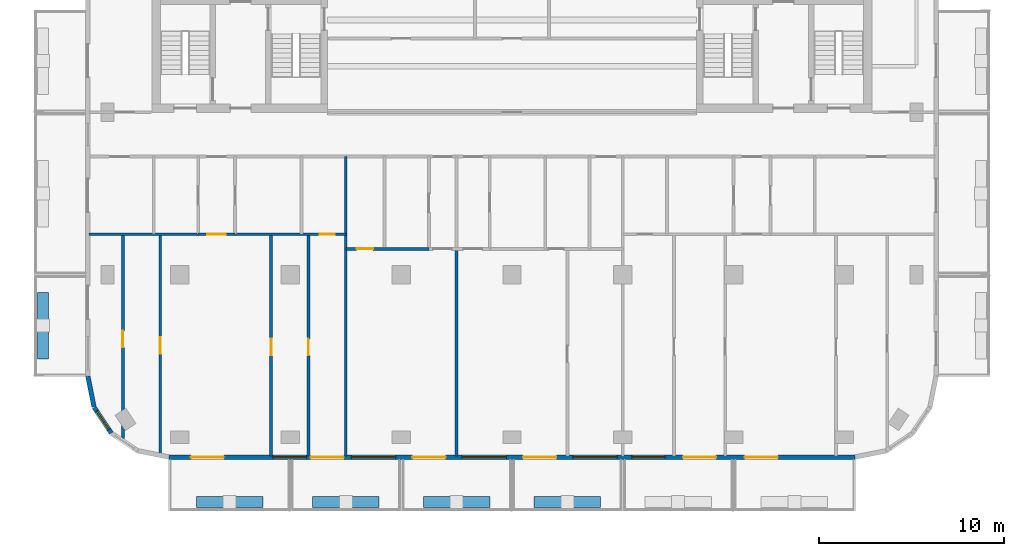
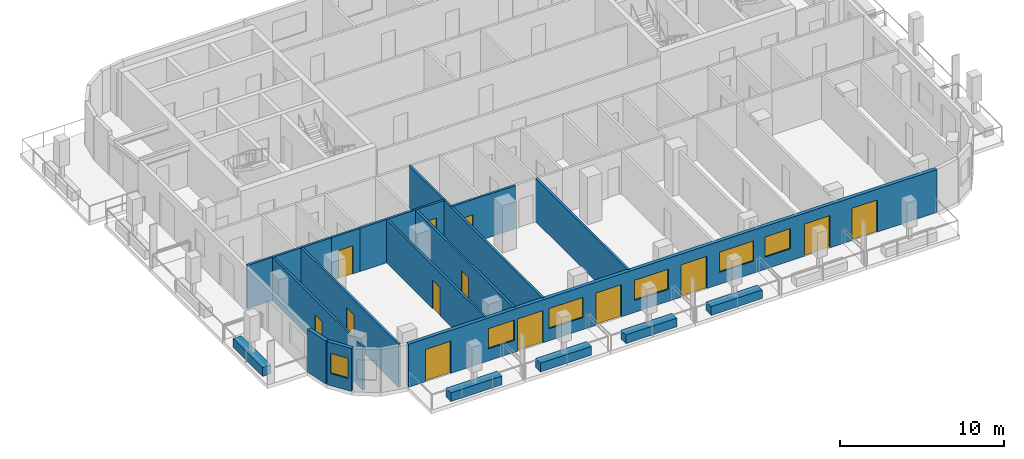
# One storey, part 2 of 11: 18 walls, 13 doors, 6 windows, 19 openings.
"""IFC4 building model written with IfcOpenShell, lengths in metres."""

from ifc_helpers import new_model, si_unit, direction, frame, frame_2d, origin, place, context, subcontext, project, spatial, rectangle, extrude, material, layer, layer_set, type_object, element, fill, save


model = new_model("IFC4")

# Units and contexts
model_context = context("Model", 3, precision=1e-05, world=origin(), true_north=direction((0.0, 1.0)))
body_context = subcontext(model_context, "Body", "Model", "MODEL_VIEW")
ifc_project = project(units=[si_unit("LENGTHUNIT", "METRE"), si_unit("AREAUNIT", "SQUARE_METRE"), si_unit("VOLUMEUNIT", "CUBIC_METRE"), si_unit("PLANEANGLEUNIT", "RADIAN"), si_unit("MASSUNIT", "GRAM", prefix="KILO")], contexts=[model_context])

# Site, building, storey
site_placement = place(None, origin())
site = spatial("IfcSite", under=ifc_project, at=site_placement, CompositionType="ELEMENT")
building_placement = place(site_placement, origin())
building = spatial("IfcBuilding", under=site, at=building_placement, Name="Torana Hotel and Residences", CompositionType="ELEMENT")
storey_placement = place(building_placement, frame((0.0, 0.0, 305.10009765625)))
storey = spatial("IfcBuildingStorey", under=building, at=storey_placement, Name="L81", CompositionType="ELEMENT", Elevation=305.10009765625)

# Wall
ifc_material_1 = material(Name="Black aluminium composite panel", Category="aluminium")
ifc_layer_1 = layer(ifc_material_1, 0.00390625, Name="Cladding", Category="cladding")
ifc_material_2 = material(Name="Ventilated air cavity")
ifc_layer_2 = layer(ifc_material_2, 0.0400390625, Name="Ventilated cavity", Category="cavity")
ifc_material_3 = material(Name="Mineral wool insulation")
ifc_layer_3 = layer(ifc_material_3, 0.090087890625, Name="Insulation", Category="insulation")
ifc_material_4 = material(Name="Steel S280GD", Category="steel")
ifc_layer_4 = layer(ifc_material_4, 0.092041015625, Name="Steel stud frame", Category="structure")
ifc_material_5 = material(Name="Fire rated plasterboard")
ifc_layer_5 = layer(ifc_material_5, 0.011962890625, Name="Inner board", Category="finish")
ifc_layer_6 = layer(ifc_material_5, 0.011962890625, Name="Second board", Category="finish")
ifc_layer_set_1 = layer_set([ifc_layer_1, ifc_layer_2, ifc_layer_3, ifc_layer_4, ifc_layer_5, ifc_layer_6], Name="EW1 EXTERNAL WALL BLACK METAL CLAD 250")
wall_type_1 = type_object("IfcWallType", Name="EW1 EXTERNAL WALL BLACK METAL CLAD 250", PredefinedType="SOLIDWALL", material=ifc_layer_set_1)
wall_1_placement = place(storey_placement, frame((-22.97265625, -29.2998046875, 0.0), z_axis=(0.0, 0.0, 1.0), x_axis=(0.19513878023, -0.980775640221, 0.0)))
element("IfcWall", 1, at=wall_1_placement, inside=storey, type_object=wall_type_1, Name="External wall L81 e0.10", PredefinedType="SOLIDWALL", context=body_context, shape_type="SweptSolid", body=[
    extrude(rectangle(XDim=1.681396484375, YDim=0.25, at=frame_2d((0.8408203125, 0.0))), origin(), (0.0, 0.0, 1.0), 3.199951171875),
])

# Wall, opening, window
wall_2_placement = place(storey_placement, frame((-22.6259765625, -30.993896484375, 0.0), z_axis=(0.0, 0.0, 1.0), x_axis=(0.55555029066, -0.831482937015, 0.0)))
wall_2 = element("IfcWall", 2, at=wall_2_placement, inside=storey, type_object=wall_type_1, Name="External wall L81 e0.11", PredefinedType="SOLIDWALL", context=body_context, shape_type="SweptSolid", body=[
    extrude(rectangle(XDim=1.65625, YDim=0.25, at=frame_2d((0.828125, 0.0))), origin(), (0.0, 0.0, 1.0), 3.199951171875),
])
opening_1_placement = place(wall_2_placement, frame((0.228271484375, 0.0, 0.89990234375)))
opening_1 = element("IfcOpeningElement", 3, at=opening_1_placement, cuts=wall_2, Name="Opening W5", PredefinedType="OPENING", context=body_context, shape_type="SweptSolid", body=[
    extrude(rectangle(XDim=1.199951171875, YDim=1.5, at=frame_2d((0.60009765625, 0.75))), frame((0.0, 0.135009765625, 0.0), z_axis=(0.0, -1.0, 0.0), x_axis=(1.0, 0.0, 0.0)), (0.0, 0.0, 1.0), 0.27001953125),
])
ifc_material_6 = material(Name="Dark glass in black aluminium frame", Category="aluminium")
window_type_1 = type_object("IfcWindowType", Name="W5 CORNER FACET WINDOW 1200x1500", PartitioningType="SINGLE_PANEL", PredefinedType="WINDOW", material=ifc_material_6)
window_1_placement = place(opening_1_placement, origin())
window_1 = element("IfcWindow", 4, at=window_1_placement, inside=storey, type_object=window_type_1, Name="Window L81 e0.11", OverallHeight=1.5, OverallWidth=1.199951171875, PartitioningType="SINGLE_PANEL", PredefinedType="WINDOW", context=body_context, shape_type="SweptSolid", body=[
    extrude(rectangle(XDim=1.199951171875, YDim=1.5, at=frame_2d((0.60009765625, 0.75))), frame((0.0, 0.030029296875, 0.0), z_axis=(0.0, -1.0, 0.0), x_axis=(1.0, 0.0, 0.0)), (0.0, 0.0, 1.0), 0.06005859375),
])
fill(opening_1, window_1)

# Wall, openings, doors, windows
wall_3_placement = place(storey_placement, frame((-18.575439453125, -33.675048828125, 0.0), z_axis=(0.0, 0.0, 1.0), x_axis=(1.0, 0.0, 0.0)))
wall_3 = element("IfcWall", 5, at=wall_3_placement, inside=storey, type_object=wall_type_1, Name="External wall L81 e0.14", PredefinedType="SOLIDWALL", context=body_context, shape_type="SweptSolid", body=[
    extrude(rectangle(XDim=37.15087890625, YDim=0.25, at=frame_2d((18.575439453125, 0.0))), origin(), (0.0, 0.0, 1.0), 3.199951171875),
])
opening_2_placement = place(wall_3_placement, frame((1.17529296875, 0.0, 0.0)))
opening_2 = element("IfcOpeningElement", 6, at=opening_2_placement, cuts=wall_3, Name="Opening L81-E01", PredefinedType="OPENING", context=body_context, shape_type="SweptSolid", body=[
    extrude(rectangle(XDim=1.800048828125, YDim=2.39990234375, at=frame_2d((0.89990234375, 1.199951171875))), frame((0.0, 0.135009765625, 0.0), z_axis=(0.0, -1.0, 0.0), x_axis=(1.0, 0.0, 0.0)), (0.0, 0.0, 1.0), 0.27001953125),
])
opening_3_placement = place(wall_3_placement, frame((5.637451171875, 0.0, 0.89990234375)))
opening_3 = element("IfcOpeningElement", 7, at=opening_3_placement, cuts=wall_3, Name="Opening W4", PredefinedType="OPENING", context=body_context, shape_type="SweptSolid", body=[
    extrude(rectangle(XDim=1.800048828125, YDim=1.5, at=frame_2d((0.89990234375, 0.75))), frame((0.0, 0.135009765625, 0.0), z_axis=(0.0, -1.0, 0.0), x_axis=(1.0, 0.0, 0.0)), (0.0, 0.0, 1.0), 0.27001953125),
])
opening_4_placement = place(wall_3_placement, frame((7.663330078125, 0.0, 0.0)))
opening_4 = element("IfcOpeningElement", 8, at=opening_4_placement, cuts=wall_3, Name="Opening L81-E02", PredefinedType="OPENING", context=body_context, shape_type="SweptSolid", body=[
    extrude(rectangle(XDim=1.800048828125, YDim=2.39990234375, at=frame_2d((0.89990234375, 1.199951171875))), frame((0.0, 0.135009765625, 0.0), z_axis=(0.0, -1.0, 0.0), x_axis=(1.0, 0.0, 0.0)), (0.0, 0.0, 1.0), 0.27001953125),
])
opening_5_placement = place(wall_3_placement, frame((9.87548828125, 0.0, 0.89990234375)))
opening_5 = element("IfcOpeningElement", 9, at=opening_5_placement, cuts=wall_3, Name="Opening W3", PredefinedType="OPENING", context=body_context, shape_type="SweptSolid", body=[
    extrude(rectangle(XDim=2.39990234375, YDim=1.5, at=frame_2d((1.199951171875, 0.75))), frame((0.0, 0.135009765625, 0.0), z_axis=(0.0, -1.0, 0.0), x_axis=(1.0, 0.0, 0.0)), (0.0, 0.0, 1.0), 0.27001953125),
])
opening_6_placement = place(wall_3_placement, frame((13.17529296875, 0.0, 0.0)))
opening_6 = element("IfcOpeningElement", 10, at=opening_6_placement, cuts=wall_3, Name="Opening L81-E03", PredefinedType="OPENING", context=body_context, shape_type="SweptSolid", body=[
    extrude(rectangle(XDim=1.800048828125, YDim=2.39990234375, at=frame_2d((0.89990234375, 1.199951171875))), frame((0.0, 0.135009765625, 0.0), z_axis=(0.0, -1.0, 0.0), x_axis=(1.0, 0.0, 0.0)), (0.0, 0.0, 1.0), 0.27001953125),
])
opening_7_placement = place(wall_3_placement, frame((15.87548828125, 0.0, 0.89990234375)))
opening_7 = element("IfcOpeningElement", 11, at=opening_7_placement, cuts=wall_3, Name="Opening W3", PredefinedType="OPENING", context=body_context, shape_type="SweptSolid", body=[
    extrude(rectangle(XDim=2.39990234375, YDim=1.5, at=frame_2d((1.199951171875, 0.75))), frame((0.0, 0.135009765625, 0.0), z_axis=(0.0, -1.0, 0.0), x_axis=(1.0, 0.0, 0.0)), (0.0, 0.0, 1.0), 0.27001953125),
])
opening_8_placement = place(wall_3_placement, frame((19.17529296875, 0.0, 0.0)))
opening_8 = element("IfcOpeningElement", 12, at=opening_8_placement, cuts=wall_3, Name="Opening L81-E04", PredefinedType="OPENING", context=body_context, shape_type="SweptSolid", body=[
    extrude(rectangle(XDim=1.800048828125, YDim=2.39990234375, at=frame_2d((0.89990234375, 1.199951171875))), frame((0.0, 0.135009765625, 0.0), z_axis=(0.0, -1.0, 0.0), x_axis=(1.0, 0.0, 0.0)), (0.0, 0.0, 1.0), 0.27001953125),
])
opening_9_placement = place(wall_3_placement, frame((21.87548828125, 0.0, 0.89990234375)))
opening_9 = element("IfcOpeningElement", 13, at=opening_9_placement, cuts=wall_3, Name="Opening W3", PredefinedType="OPENING", context=body_context, shape_type="SweptSolid", body=[
    extrude(rectangle(XDim=2.39990234375, YDim=1.5, at=frame_2d((1.199951171875, 0.75))), frame((0.0, 0.135009765625, 0.0), z_axis=(0.0, -1.0, 0.0), x_axis=(1.0, 0.0, 0.0)), (0.0, 0.0, 1.0), 0.27001953125),
])
opening_10_placement = place(wall_3_placement, frame((25.0634765625, 0.0, 0.89990234375)))
opening_10 = element("IfcOpeningElement", 14, at=opening_10_placement, cuts=wall_3, Name="Opening W4", PredefinedType="OPENING", context=body_context, shape_type="SweptSolid", body=[
    extrude(rectangle(XDim=1.800048828125, YDim=1.5, at=frame_2d((0.89990234375, 0.75))), frame((0.0, 0.135009765625, 0.0), z_axis=(0.0, -1.0, 0.0), x_axis=(1.0, 0.0, 0.0)), (0.0, 0.0, 1.0), 0.27001953125),
])
opening_11_placement = place(wall_3_placement, frame((27.83837890625, 0.0, 0.0)))
opening_11 = element("IfcOpeningElement", 15, at=opening_11_placement, cuts=wall_3, Name="Opening L81-E05", PredefinedType="OPENING", context=body_context, shape_type="SweptSolid", body=[
    extrude(rectangle(XDim=1.800048828125, YDim=2.39990234375, at=frame_2d((0.89990234375, 1.199951171875))), frame((0.0, 0.135009765625, 0.0), z_axis=(0.0, -1.0, 0.0), x_axis=(1.0, 0.0, 0.0)), (0.0, 0.0, 1.0), 0.27001953125),
])
opening_12_placement = place(wall_3_placement, frame((31.17529296875, 0.0, 0.0)))
opening_12 = element("IfcOpeningElement", 16, at=opening_12_placement, cuts=wall_3, Name="Opening L81-E06", PredefinedType="OPENING", context=body_context, shape_type="SweptSolid", body=[
    extrude(rectangle(XDim=1.800048828125, YDim=2.39990234375, at=frame_2d((0.89990234375, 1.199951171875))), frame((0.0, 0.135009765625, 0.0), z_axis=(0.0, -1.0, 0.0), x_axis=(1.0, 0.0, 0.0)), (0.0, 0.0, 1.0), 0.27001953125),
])
ifc_material_7 = material(Name="Dark glass in black aluminium frame", Category="aluminium")
door_type_1 = type_object("IfcDoorType", Name="DB1 BALCONY DOOR 1800x2400", OperationType="DOUBLE_DOOR_SINGLE_SWING", PredefinedType="DOOR", material=ifc_material_7)
door_1_placement = place(opening_2_placement, origin())
door_1 = element("IfcDoor", 17, at=door_1_placement, inside=storey, type_object=door_type_1, Name="Balcony door L81", OperationType="DOUBLE_DOOR_SINGLE_SWING", OverallHeight=2.39990234375, OverallWidth=1.800048828125, PredefinedType="DOOR", context=body_context, shape_type="SweptSolid", body=[
    extrude(rectangle(XDim=1.800048828125, YDim=2.39990234375, at=frame_2d((0.89990234375, 1.199951171875))), frame((0.0, 0.02490234375, 0.0), z_axis=(0.0, -1.0, 0.0), x_axis=(1.0, 0.0, 0.0)), (0.0, 0.0, 1.0), 0.050048828125),
])
fill(opening_2, door_1)
door_2_placement = place(opening_4_placement, origin())
door_2 = element("IfcDoor", 18, at=door_2_placement, inside=storey, type_object=door_type_1, Name="Balcony door L81", OperationType="DOUBLE_DOOR_SINGLE_SWING", OverallHeight=2.39990234375, OverallWidth=1.800048828125, PredefinedType="DOOR", context=body_context, shape_type="SweptSolid", body=[
    extrude(rectangle(XDim=1.800048828125, YDim=2.39990234375, at=frame_2d((0.89990234375, 1.199951171875))), frame((0.0, 0.02490234375, 0.0), z_axis=(0.0, -1.0, 0.0), x_axis=(1.0, 0.0, 0.0)), (0.0, 0.0, 1.0), 0.050048828125),
])
fill(opening_4, door_2)
door_3_placement = place(opening_6_placement, origin())
door_3 = element("IfcDoor", 19, at=door_3_placement, inside=storey, type_object=door_type_1, Name="Balcony door L81", OperationType="DOUBLE_DOOR_SINGLE_SWING", OverallHeight=2.39990234375, OverallWidth=1.800048828125, PredefinedType="DOOR", context=body_context, shape_type="SweptSolid", body=[
    extrude(rectangle(XDim=1.800048828125, YDim=2.39990234375, at=frame_2d((0.89990234375, 1.199951171875))), frame((0.0, 0.02490234375, 0.0), z_axis=(0.0, -1.0, 0.0), x_axis=(1.0, 0.0, 0.0)), (0.0, 0.0, 1.0), 0.050048828125),
])
fill(opening_6, door_3)
door_4_placement = place(opening_8_placement, origin())
door_4 = element("IfcDoor", 20, at=door_4_placement, inside=storey, type_object=door_type_1, Name="Balcony door L81", OperationType="DOUBLE_DOOR_SINGLE_SWING", OverallHeight=2.39990234375, OverallWidth=1.800048828125, PredefinedType="DOOR", context=body_context, shape_type="SweptSolid", body=[
    extrude(rectangle(XDim=1.800048828125, YDim=2.39990234375, at=frame_2d((0.89990234375, 1.199951171875))), frame((0.0, 0.02490234375, 0.0), z_axis=(0.0, -1.0, 0.0), x_axis=(1.0, 0.0, 0.0)), (0.0, 0.0, 1.0), 0.050048828125),
])
fill(opening_8, door_4)
door_5_placement = place(opening_11_placement, origin())
door_5 = element("IfcDoor", 21, at=door_5_placement, inside=storey, type_object=door_type_1, Name="Balcony door L81", OperationType="DOUBLE_DOOR_SINGLE_SWING", OverallHeight=2.39990234375, OverallWidth=1.800048828125, PredefinedType="DOOR", context=body_context, shape_type="SweptSolid", body=[
    extrude(rectangle(XDim=1.800048828125, YDim=2.39990234375, at=frame_2d((0.89990234375, 1.199951171875))), frame((0.0, 0.02490234375, 0.0), z_axis=(0.0, -1.0, 0.0), x_axis=(1.0, 0.0, 0.0)), (0.0, 0.0, 1.0), 0.050048828125),
])
fill(opening_11, door_5)
door_6_placement = place(opening_12_placement, origin())
door_6 = element("IfcDoor", 22, at=door_6_placement, inside=storey, type_object=door_type_1, Name="Balcony door L81", OperationType="DOUBLE_DOOR_SINGLE_SWING", OverallHeight=2.39990234375, OverallWidth=1.800048828125, PredefinedType="DOOR", context=body_context, shape_type="SweptSolid", body=[
    extrude(rectangle(XDim=1.800048828125, YDim=2.39990234375, at=frame_2d((0.89990234375, 1.199951171875))), frame((0.0, 0.02490234375, 0.0), z_axis=(0.0, -1.0, 0.0), x_axis=(1.0, 0.0, 0.0)), (0.0, 0.0, 1.0), 0.050048828125),
])
fill(opening_12, door_6)
ifc_material_8 = material(Name="Dark glass in black aluminium frame", Category="aluminium")
window_type_2 = type_object("IfcWindowType", Name="W3 RESIDENCE WINDOW 2400x1500", PartitioningType="SINGLE_PANEL", PredefinedType="WINDOW", material=ifc_material_8)
window_2_placement = place(opening_5_placement, origin())
window_2 = element("IfcWindow", 23, at=window_2_placement, inside=storey, type_object=window_type_2, Name="Window L81", OverallHeight=1.5, OverallWidth=2.39990234375, PartitioningType="SINGLE_PANEL", PredefinedType="WINDOW", context=body_context, shape_type="SweptSolid", body=[
    extrude(rectangle(XDim=2.39990234375, YDim=1.5, at=frame_2d((1.199951171875, 0.75))), frame((0.0, 0.030029296875, 0.0), z_axis=(0.0, -1.0, 0.0), x_axis=(1.0, 0.0, 0.0)), (0.0, 0.0, 1.0), 0.06005859375),
])
fill(opening_5, window_2)
window_3_placement = place(opening_7_placement, origin())
window_3 = element("IfcWindow", 24, at=window_3_placement, inside=storey, type_object=window_type_2, Name="Window L81", OverallHeight=1.5, OverallWidth=2.39990234375, PartitioningType="SINGLE_PANEL", PredefinedType="WINDOW", context=body_context, shape_type="SweptSolid", body=[
    extrude(rectangle(XDim=2.39990234375, YDim=1.5, at=frame_2d((1.199951171875, 0.75))), frame((0.0, 0.030029296875, 0.0), z_axis=(0.0, -1.0, 0.0), x_axis=(1.0, 0.0, 0.0)), (0.0, 0.0, 1.0), 0.06005859375),
])
fill(opening_7, window_3)
window_4_placement = place(opening_9_placement, origin())
window_4 = element("IfcWindow", 25, at=window_4_placement, inside=storey, type_object=window_type_2, Name="Window L81", OverallHeight=1.5, OverallWidth=2.39990234375, PartitioningType="SINGLE_PANEL", PredefinedType="WINDOW", context=body_context, shape_type="SweptSolid", body=[
    extrude(rectangle(XDim=2.39990234375, YDim=1.5, at=frame_2d((1.199951171875, 0.75))), frame((0.0, 0.030029296875, 0.0), z_axis=(0.0, -1.0, 0.0), x_axis=(1.0, 0.0, 0.0)), (0.0, 0.0, 1.0), 0.06005859375),
])
fill(opening_9, window_4)
ifc_material_9 = material(Name="Dark glass in black aluminium frame", Category="aluminium")
window_type_3 = type_object("IfcWindowType", Name="W4 RESIDENCE WINDOW NARROW 1800x1500", PartitioningType="SINGLE_PANEL", PredefinedType="WINDOW", material=ifc_material_9)
window_5_placement = place(opening_3_placement, origin())
window_5 = element("IfcWindow", 26, at=window_5_placement, inside=storey, type_object=window_type_3, Name="Window L81", OverallHeight=1.5, OverallWidth=1.800048828125, PartitioningType="SINGLE_PANEL", PredefinedType="WINDOW", context=body_context, shape_type="SweptSolid", body=[
    extrude(rectangle(XDim=1.800048828125, YDim=1.5, at=frame_2d((0.89990234375, 0.75))), frame((0.0, 0.030029296875, 0.0), z_axis=(0.0, -1.0, 0.0), x_axis=(1.0, 0.0, 0.0)), (0.0, 0.0, 1.0), 0.06005859375),
])
fill(opening_3, window_5)
window_6_placement = place(opening_10_placement, origin())
window_6 = element("IfcWindow", 27, at=window_6_placement, inside=storey, type_object=window_type_3, Name="Window L81", OverallHeight=1.5, OverallWidth=1.800048828125, PartitioningType="SINGLE_PANEL", PredefinedType="WINDOW", context=body_context, shape_type="SweptSolid", body=[
    extrude(rectangle(XDim=1.800048828125, YDim=1.5, at=frame_2d((0.89990234375, 0.75))), frame((0.0, 0.030029296875, 0.0), z_axis=(0.0, -1.0, 0.0), x_axis=(1.0, 0.0, 0.0)), (0.0, 0.0, 1.0), 0.06005859375),
])
fill(opening_10, window_6)

# Wall, opening, door
ifc_material_10 = material(Name="Gypsum plaster")
ifc_layer_7 = layer(ifc_material_10, 0.014892578125, Name="Plaster", Category="finish")
ifc_material_11 = material(Name="Concrete blockwork", Category="masonry")
ifc_layer_8 = layer(ifc_material_11, 0.1201171875, Name="Blockwork", Category="structure")
ifc_layer_9 = layer(ifc_material_10, 0.014892578125, Name="Plaster", Category="finish")
ifc_layer_set_2 = layer_set([ifc_layer_7, ifc_layer_8, ifc_layer_9], Name="FIRE PARTITION 150 BLOCKWORK")
wall_type_2 = type_object("IfcWallType", Name="FIRE PARTITION 150 BLOCKWORK", PredefinedType="PARTITIONING", material=ifc_layer_set_2)
wall_4_placement = place(storey_placement, frame((-17.0, -21.60009765625, 0.0), z_axis=(0.0, 0.0, 1.0), x_axis=(1.0, 0.0, 0.0)))
wall_4 = element("IfcWall", 28, at=wall_4_placement, inside=storey, type_object=wall_type_2, Name="Partition L81", PredefinedType="PARTITIONING", context=body_context, shape_type="SweptSolid", body=[
    extrude(rectangle(XDim=2.0, YDim=0.14990234375, at=frame_2d((1.0, 0.0))), origin(), (0.0, 0.0, 1.0), 3.219970703125),
])
opening_13_placement = place(wall_4_placement, frame((0.5, 0.0, 0.0)))
opening_13 = element("IfcOpeningElement", 29, at=opening_13_placement, cuts=wall_4, Name="Opening L81-46", PredefinedType="OPENING", context=body_context, shape_type="SweptSolid", body=[
    extrude(rectangle(XDim=1.0, YDim=2.10009765625, at=frame_2d((0.5, 1.050048828125))), frame((0.0, 0.0849609375, 0.0), z_axis=(0.0, -1.0, 0.0), x_axis=(1.0, 0.0, 0.0)), (0.0, 0.0, 1.0), 0.169921875),
])
ifc_material_12 = material(Name="Steel S235", Category="steel")
door_type_2 = type_object("IfcDoorType", Name="ENTRY FIRE DOOR D6 1000x2100", OperationType="SINGLE_SWING_LEFT", PredefinedType="DOOR", material=ifc_material_12)
door_7_placement = place(opening_13_placement, frame((0.5, 0.0, 0.0), z_axis=(0.0, 0.0, 1.0), x_axis=(-1.0, 0.0, 0.0)))
door_7 = element("IfcDoor", 30, at=door_7_placement, inside=storey, type_object=door_type_2, Name="Door L81", OperationType="SINGLE_SWING_LEFT", OverallHeight=2.10009765625, OverallWidth=1.0, PredefinedType="DOOR", context=body_context, shape_type="SweptSolid", body=[
    extrude(rectangle(XDim=1.0, YDim=2.10009765625, at=frame_2d((0.0, 1.050048828125))), frame((0.0, -0.02490234375, 0.0), z_axis=(0.0, 1.0, 0.0), x_axis=(-1.0, 0.0, 0.0)), (0.0, 0.0, 1.0), 0.050048828125),
])
fill(opening_13, door_7)

# Walls
ifc_material_13 = material(Name="Gypsum plasterboard")
ifc_layer_10 = layer(ifc_material_13, 0.012451171875, Name="Plasterboard", Category="finish")
ifc_layer_11 = layer(ifc_material_13, 0.012451171875, Name="Plasterboard", Category="finish")
ifc_layer_12 = layer(ifc_material_4, 0.10009765625, Name="Steel studs with mineral wool", Category="insulation")
ifc_layer_13 = layer(ifc_material_13, 0.012451171875, Name="Plasterboard", Category="finish")
ifc_layer_14 = layer(ifc_material_13, 0.012451171875, Name="Plasterboard", Category="finish")
ifc_layer_set_3 = layer_set([ifc_layer_10, ifc_layer_11, ifc_layer_12, ifc_layer_13, ifc_layer_14], Name="PARTITION 150 PLASTERBOARD")
wall_type_3 = type_object("IfcWallType", Name="PARTITION 150 PLASTERBOARD", PredefinedType="PARTITIONING", material=ifc_layer_set_3)
wall_5_placement = place(storey_placement, frame((-3.0, -33.6201171875, 0.0), z_axis=(0.0, 0.0, 1.0), x_axis=(0.0, 1.0, 0.0)))
element("IfcWall", 31, at=wall_5_placement, inside=storey, type_object=wall_type_3, Name="Partition L81", PredefinedType="PARTITIONING", context=body_context, shape_type="SweptSolid", body=[
    extrude(rectangle(XDim=11.22021484375, YDim=0.14990234375, at=frame_2d((5.610107421875, 0.0))), origin(), (0.0, 0.0, 1.0), 3.219970703125),
])
wall_6_placement = place(storey_placement, frame((-9.0, -33.6201171875, 0.0), z_axis=(0.0, 0.0, 1.0), x_axis=(0.0, 1.0, 0.0)))
element("IfcWall", 32, at=wall_6_placement, inside=storey, type_object=wall_type_3, Name="Partition L81", PredefinedType="PARTITIONING", context=body_context, shape_type="SweptSolid", body=[
    extrude(rectangle(XDim=16.22021484375, YDim=0.14990234375, at=frame_2d((8.110107421875, 0.0))), origin(), (0.0, 0.0, 1.0), 3.219970703125),
])

# Wall, opening, door
wall_7_placement = place(storey_placement, frame((-11.02490234375, -33.6201171875, 0.0), z_axis=(0.0, 0.0, 1.0), x_axis=(0.0, 1.0, 0.0)))
wall_7 = element("IfcWall", 33, at=wall_7_placement, inside=storey, type_object=wall_type_3, Name="Partition L81", PredefinedType="PARTITIONING", context=body_context, shape_type="SweptSolid", body=[
    extrude(rectangle(XDim=12.02001953125, YDim=0.14990234375, at=frame_2d((6.010009765625, 0.0))), origin(), (0.0, 0.0, 1.0), 3.219970703125),
])
opening_14_placement = place(wall_7_placement, frame((5.449951171875, 0.0, 0.0)))
opening_14 = element("IfcOpeningElement", 34, at=opening_14_placement, cuts=wall_7, Name="Opening L81-49", PredefinedType="OPENING", context=body_context, shape_type="SweptSolid", body=[
    extrude(rectangle(XDim=0.89990234375, YDim=2.10009765625, at=frame_2d((0.449951171875, 1.050048828125))), frame((0.0, 0.0849609375, 0.0), z_axis=(0.0, -1.0, 0.0), x_axis=(1.0, 0.0, 0.0)), (0.0, 0.0, 1.0), 0.169921875),
])
ifc_material_14 = material(Name="Timber door, oiled ash", Category="wood")
door_type_3 = type_object("IfcDoorType", Name="ROOM DOOR D7 900x2100", OperationType="SINGLE_SWING_LEFT", PredefinedType="DOOR", material=ifc_material_14)
door_8_placement = place(opening_14_placement, origin())
door_8 = element("IfcDoor", 35, at=door_8_placement, inside=storey, type_object=door_type_3, Name="Door L81", OperationType="SINGLE_SWING_RIGHT", OverallHeight=2.10009765625, OverallWidth=0.89990234375, PredefinedType="DOOR", context=body_context, shape_type="SweptSolid", body=[
    extrude(rectangle(XDim=0.89990234375, YDim=2.10009765625, at=frame_2d((0.449951171875, 1.050048828125))), frame((0.0, 0.02490234375, 0.0), z_axis=(0.0, -1.0, 0.0), x_axis=(1.0, 0.0, 0.0)), (0.0, 0.0, 1.0), 0.050048828125),
])
fill(opening_14, door_8)

wall_8_placement = place(storey_placement, frame((-13.050048828125, -33.6201171875, 0.0), z_axis=(0.0, 0.0, 1.0), x_axis=(0.0, 1.0, 0.0)))
wall_8 = element("IfcWall", 36, at=wall_8_placement, inside=storey, type_object=wall_type_3, Name="Partition L81", PredefinedType="PARTITIONING", context=body_context, shape_type="SweptSolid", body=[
    extrude(rectangle(XDim=12.02001953125, YDim=0.14990234375, at=frame_2d((6.010009765625, 0.0))), origin(), (0.0, 0.0, 1.0), 3.219970703125),
])
opening_15_placement = place(wall_8_placement, frame((5.449951171875, 0.0, 0.0)))
opening_15 = element("IfcOpeningElement", 37, at=opening_15_placement, cuts=wall_8, Name="Opening L81-47", PredefinedType="OPENING", context=body_context, shape_type="SweptSolid", body=[
    extrude(rectangle(XDim=0.89990234375, YDim=2.10009765625, at=frame_2d((0.449951171875, 1.050048828125))), frame((0.0, 0.0849609375, 0.0), z_axis=(0.0, -1.0, 0.0), x_axis=(1.0, 0.0, 0.0)), (0.0, 0.0, 1.0), 0.169921875),
])
door_9_placement = place(opening_15_placement, origin())
door_9 = element("IfcDoor", 38, at=door_9_placement, inside=storey, type_object=door_type_3, Name="Door L81", OperationType="SINGLE_SWING_RIGHT", OverallHeight=2.10009765625, OverallWidth=0.89990234375, PredefinedType="DOOR", context=body_context, shape_type="SweptSolid", body=[
    extrude(rectangle(XDim=0.89990234375, YDim=2.10009765625, at=frame_2d((0.449951171875, 1.050048828125))), frame((0.0, 0.02490234375, 0.0), z_axis=(0.0, -1.0, 0.0), x_axis=(1.0, 0.0, 0.0)), (0.0, 0.0, 1.0), 0.050048828125),
])
fill(opening_15, door_9)

wall_9_placement = place(storey_placement, frame((-19.050048828125, -33.527099609375, 0.0), z_axis=(0.0, 0.0, 1.0), x_axis=(0.0, 1.0, 0.0)))
wall_9 = element("IfcWall", 39, at=wall_9_placement, inside=storey, type_object=wall_type_3, Name="Partition L81", PredefinedType="PARTITIONING", context=body_context, shape_type="SweptSolid", body=[
    extrude(rectangle(XDim=11.927001953125, YDim=0.14990234375, at=frame_2d((5.96337890625, 0.0))), origin(), (0.0, 0.0, 1.0), 3.219970703125),
])
opening_16_placement = place(wall_9_placement, frame((5.43603515625, 0.0, 0.0)))
opening_16 = element("IfcOpeningElement", 40, at=opening_16_placement, cuts=wall_9, Name="Opening L81-48", PredefinedType="OPENING", context=body_context, shape_type="SweptSolid", body=[
    extrude(rectangle(XDim=0.89990234375, YDim=2.10009765625, at=frame_2d((0.449951171875, 1.050048828125))), frame((0.0, 0.0849609375, 0.0), z_axis=(0.0, -1.0, 0.0), x_axis=(1.0, 0.0, 0.0)), (0.0, 0.0, 1.0), 0.169921875),
])
door_10_placement = place(opening_16_placement, origin())
door_10 = element("IfcDoor", 41, at=door_10_placement, inside=storey, type_object=door_type_3, Name="Door L81", OperationType="SINGLE_SWING_RIGHT", OverallHeight=2.10009765625, OverallWidth=0.89990234375, PredefinedType="DOOR", context=body_context, shape_type="SweptSolid", body=[
    extrude(rectangle(XDim=0.89990234375, YDim=2.10009765625, at=frame_2d((0.449951171875, 1.050048828125))), frame((0.0, 0.02490234375, 0.0), z_axis=(0.0, -1.0, 0.0), x_axis=(1.0, 0.0, 0.0)), (0.0, 0.0, 1.0), 0.050048828125),
])
fill(opening_16, door_10)

wall_10_placement = place(storey_placement, frame((-21.074951171875, -32.665771484375, 0.0), z_axis=(0.0, 0.0, 1.0), x_axis=(0.0, 1.0, 0.0)))
wall_10 = element("IfcWall", 42, at=wall_10_placement, inside=storey, type_object=wall_type_3, Name="Partition L81", PredefinedType="PARTITIONING", context=body_context, shape_type="SweptSolid", body=[
    extrude(rectangle(XDim=11.065673828125, YDim=0.14990234375, at=frame_2d((5.53271484375, 0.0))), origin(), (0.0, 0.0, 1.0), 3.219970703125),
])
opening_17_placement = place(wall_10_placement, frame((4.931884765625, 0.0, 0.0)))
opening_17 = element("IfcOpeningElement", 43, at=opening_17_placement, cuts=wall_10, Name="Opening L81-50", PredefinedType="OPENING", context=body_context, shape_type="SweptSolid", body=[
    extrude(rectangle(XDim=0.89990234375, YDim=2.10009765625, at=frame_2d((0.449951171875, 1.050048828125))), frame((0.0, 0.0849609375, 0.0), z_axis=(0.0, -1.0, 0.0), x_axis=(1.0, 0.0, 0.0)), (0.0, 0.0, 1.0), 0.169921875),
])
door_11_placement = place(opening_17_placement, origin())
door_11 = element("IfcDoor", 44, at=door_11_placement, inside=storey, type_object=door_type_3, Name="Door L81", OperationType="SINGLE_SWING_RIGHT", OverallHeight=2.10009765625, OverallWidth=0.89990234375, PredefinedType="DOOR", context=body_context, shape_type="SweptSolid", body=[
    extrude(rectangle(XDim=0.89990234375, YDim=2.10009765625, at=frame_2d((0.449951171875, 1.050048828125))), frame((0.0, 0.02490234375, 0.0), z_axis=(0.0, -1.0, 0.0), x_axis=(1.0, 0.0, 0.0)), (0.0, 0.0, 1.0), 0.050048828125),
])
fill(opening_17, door_11)

wall_11_placement = place(storey_placement, frame((-9.0, -22.39990234375, 0.0), z_axis=(0.0, 0.0, 1.0), x_axis=(1.0, 0.0, 0.0)))
wall_11 = element("IfcWall", 45, at=wall_11_placement, inside=storey, type_object=wall_type_3, Name="Partition L81", PredefinedType="PARTITIONING", context=body_context, shape_type="SweptSolid", body=[
    extrude(rectangle(XDim=4.5, YDim=0.14990234375, at=frame_2d((2.25, 0.0))), origin(), (0.0, 0.0, 1.0), 3.219970703125),
])
opening_18_placement = place(wall_11_placement, frame((0.580078125, 0.0, 0.0)))
opening_18 = element("IfcOpeningElement", 46, at=opening_18_placement, cuts=wall_11, Name="Opening L81-36", PredefinedType="OPENING", context=body_context, shape_type="SweptSolid", body=[
    extrude(rectangle(XDim=0.89990234375, YDim=2.10009765625, at=frame_2d((0.449951171875, 1.050048828125))), frame((0.0, 0.0849609375, 0.0), z_axis=(0.0, -1.0, 0.0), x_axis=(1.0, 0.0, 0.0)), (0.0, 0.0, 1.0), 0.169921875),
])
door_12_placement = place(opening_18_placement, origin())
door_12 = element("IfcDoor", 47, at=door_12_placement, inside=storey, type_object=door_type_3, Name="Door L81", OperationType="SINGLE_SWING_RIGHT", OverallHeight=2.10009765625, OverallWidth=0.89990234375, PredefinedType="DOOR", context=body_context, shape_type="SweptSolid", body=[
    extrude(rectangle(XDim=0.89990234375, YDim=2.10009765625, at=frame_2d((0.449951171875, 1.050048828125))), frame((0.0, 0.02490234375, 0.0), z_axis=(0.0, -1.0, 0.0), x_axis=(1.0, 0.0, 0.0)), (0.0, 0.0, 1.0), 0.050048828125),
])
fill(opening_18, door_12)

# Wall
wall_12_placement = place(storey_placement, frame((-22.919921875, -21.60009765625, 0.0), z_axis=(0.0, 0.0, 1.0), x_axis=(1.0, 0.0, 0.0)))
element("IfcWall", 48, at=wall_12_placement, inside=storey, type_object=wall_type_3, Name="Partition L81", PredefinedType="PARTITIONING", context=body_context, shape_type="SweptSolid", body=[
    extrude(rectangle(XDim=5.919921875, YDim=0.14990234375, at=frame_2d((2.9599609375, 0.0))), origin(), (0.0, 0.0, 1.0), 3.219970703125),
])

# Wall, opening, door
wall_13_placement = place(storey_placement, frame((-15.0, -21.60009765625, 0.0), z_axis=(0.0, 0.0, 1.0), x_axis=(1.0, 0.0, 0.0)))
wall_13 = element("IfcWall", 49, at=wall_13_placement, inside=storey, type_object=wall_type_3, Name="Partition L81", PredefinedType="PARTITIONING", context=body_context, shape_type="SweptSolid", body=[
    extrude(rectangle(XDim=6.0, YDim=0.14990234375, at=frame_2d((3.0, 0.0))), origin(), (0.0, 0.0, 1.0), 3.219970703125),
])
opening_19_placement = place(wall_13_placement, frame((4.587890625, 0.0, 0.0)))
opening_19 = element("IfcOpeningElement", 50, at=opening_19_placement, cuts=wall_13, Name="Opening L81-43", PredefinedType="OPENING", context=body_context, shape_type="SweptSolid", body=[
    extrude(rectangle(XDim=0.800048828125, YDim=2.10009765625, at=frame_2d((0.39990234375, 1.050048828125))), frame((0.0, 0.0849609375, 0.0), z_axis=(0.0, -1.0, 0.0), x_axis=(1.0, 0.0, 0.0)), (0.0, 0.0, 1.0), 0.169921875),
])
ifc_material_15 = material(Name="Timber door, painted", Category="wood")
door_type_4 = type_object("IfcDoorType", Name="BATH DOOR D13 800x2100", OperationType="SINGLE_SWING_LEFT", PredefinedType="DOOR", material=ifc_material_15)
door_13_placement = place(opening_19_placement, origin())
door_13 = element("IfcDoor", 51, at=door_13_placement, inside=storey, type_object=door_type_4, Name="Door L81", OperationType="SINGLE_SWING_LEFT", OverallHeight=2.10009765625, OverallWidth=0.800048828125, PredefinedType="DOOR", context=body_context, shape_type="SweptSolid", body=[
    extrude(rectangle(XDim=0.800048828125, YDim=2.10009765625, at=frame_2d((0.39990234375, 1.050048828125))), frame((0.0, 0.02490234375, 0.0), z_axis=(0.0, -1.0, 0.0), x_axis=(1.0, 0.0, 0.0)), (0.0, 0.0, 1.0), 0.050048828125),
])
fill(opening_19, door_13)

# Walls
ifc_material_16 = material(Name="Concrete C40/50 precast", Category="concrete")
ifc_layer_15 = layer(ifc_material_16, 0.10009765625, Name="Planter shell", Category="structure")
ifc_material_17 = material(Name="Root resistant membrane")
ifc_layer_16 = layer(ifc_material_17, 0.00390625, Name="Waterproofing membrane", Category="membrane")
ifc_material_18 = material(Name="Drainage board with filter fleece")
ifc_layer_17 = layer(ifc_material_18, 0.02001953125, Name="Drainage board", Category="drainage")
ifc_material_19 = material(Name="Growing medium")
ifc_layer_18 = layer(ifc_material_19, 0.47607421875, Name="Planting substrate", Category="soil")
ifc_layer_set_4 = layer_set([ifc_layer_15, ifc_layer_16, ifc_layer_17, ifc_layer_18], Name="PL1 BALCONY PLANTER 600")
wall_type_4 = type_object("IfcWallType", Name="PL1 BALCONY PLANTER 600", PredefinedType="USERDEFINED", material=ifc_layer_set_4)
for number, where, z_axis, x_axis, name in (
    (52, (-13.5, -36.10009765625, 0.0), (0.0, 0.0, 1.0), (-1.0, 0.0, 0.0), "Planter 01"),
    (53, (-7.199951171875, -36.10009765625, 0.0), (0.0, 0.0, 1.0), (-1.0, 0.0, 0.0), "Planter 02"),
    (54, (-1.199951171875, -36.10009765625, 0.0), (0.0, 0.0, 1.0), (-1.0, 0.0, 0.0), "Planter 03"),
    (55, (4.800048828125, -36.10009765625, 0.0), (0.0, 0.0, 1.0), (-1.0, 0.0, 0.0), "Planter 04"),
    (56, (-25.39990234375, -28.35009765625, 0.0), (0.0, 0.0, 1.0), (0.0, 1.0, 0.0), "Planter 07"),
):
    element("IfcWall", number, at=place(storey_placement, frame(where, z_axis=z_axis, x_axis=x_axis)), inside=storey, type_object=wall_type_4, Name=name, ObjectType="PLANTER", PredefinedType="USERDEFINED", context=body_context, shape_type="SweptSolid", body=[
        extrude(rectangle(XDim=3.60009765625, YDim=0.60009765625, at=frame_2d((1.800048828125, 0.0))), origin(), (0.0, 0.0, 1.0), 0.64990234375),
    ])

save(model, "model.ifc")
